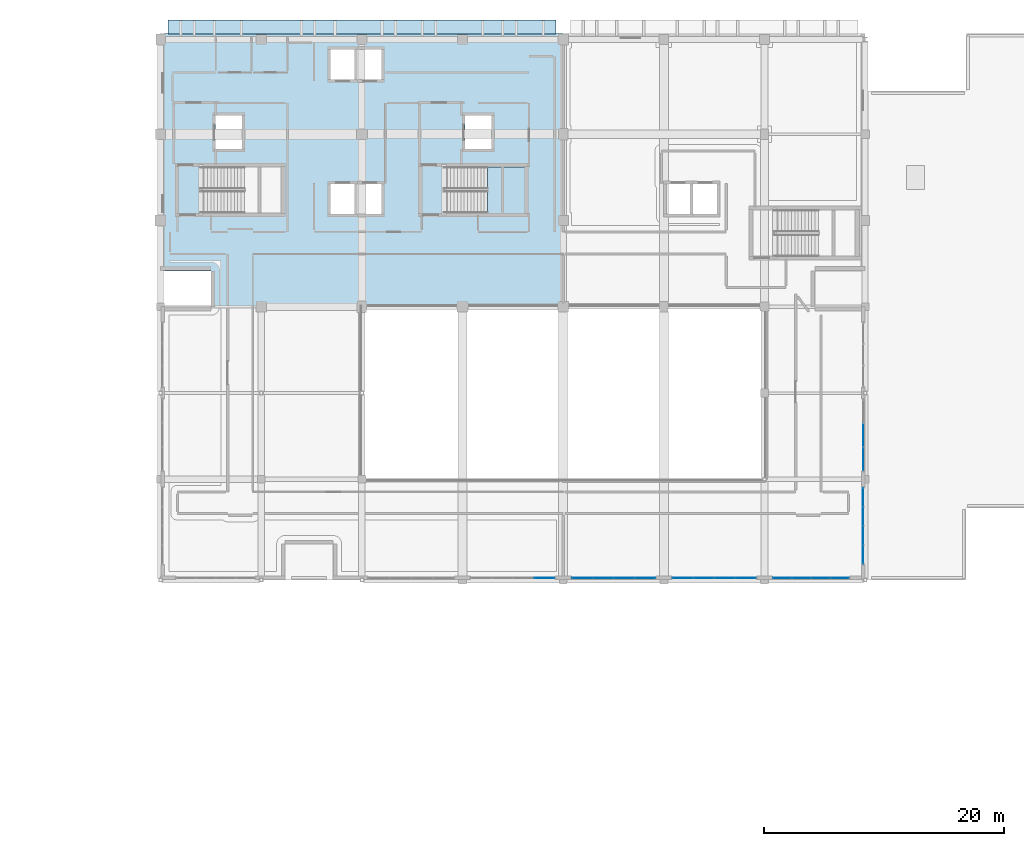
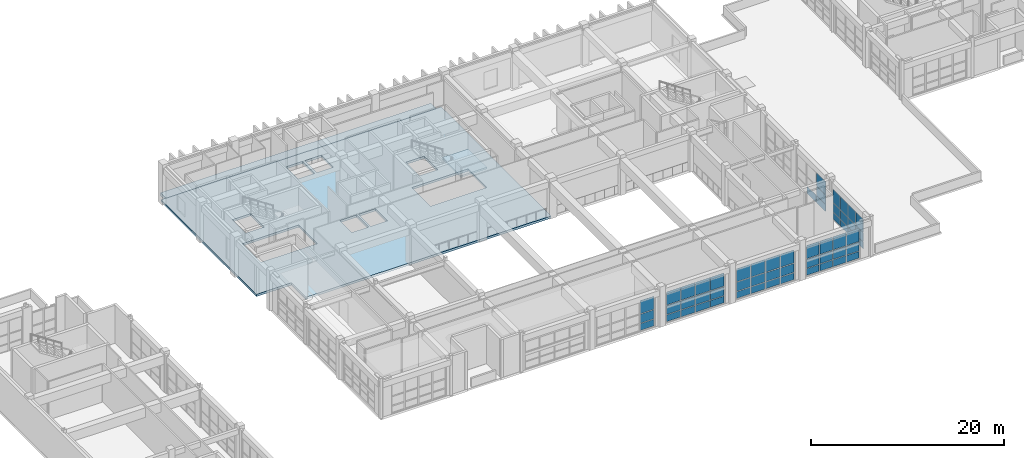
# One storey, part 53 of 78: 55 plates, 3 slabs, 7 elements without a shape of their own.
"""IFC4 building model written with IfcOpenShell, lengths in metres."""

from ifc_helpers import new_model, si_unit, direction, frame, origin, origin_2d, place, context, subcontext, project, spatial, polyline, rectangle, outline, extrude, material, layer, layer_set, type_object, element, aggregate, save


model = new_model("IFC4")

# Units and contexts
model_context = context("Model", 3, precision=1e-05, world=origin(), true_north=direction((0.0, 1.0)))
body_context = subcontext(model_context, "Body", "Model", "MODEL_VIEW")
ifc_project = project(units=[si_unit("LENGTHUNIT", "METRE"), si_unit("AREAUNIT", "SQUARE_METRE"), si_unit("VOLUMEUNIT", "CUBIC_METRE"), si_unit("PLANEANGLEUNIT", "RADIAN"), si_unit("MASSUNIT", "GRAM", prefix="KILO")], contexts=[model_context])

# Site, building, storey
site_placement = place(None, origin())
site = spatial("IfcSite", under=ifc_project, at=site_placement, CompositionType="ELEMENT")
building_placement = place(site_placement, origin())
building = spatial("IfcBuilding", under=site, at=building_placement, Name="Quendrovan Civic Courthouse", CompositionType="ELEMENT")
storey_placement = place(building_placement, frame((0.0, 0.0, 10.199951171875)))
storey = spatial("IfcBuildingStorey", under=building, at=storey_placement, Name="L03", CompositionType="ELEMENT", Elevation=10.199951171875)

# Curtain wall, plates
ifc_material_1 = material(Name="Bronze anodised aluminium and low-E glass", Category="aluminium")
ifc_layer_1 = layer(ifc_material_1, 0.179931640625, Name="Bronze anodised aluminium and low-E glass")
ifc_layer_set_1 = layer_set([ifc_layer_1], Name="Bronze anodised aluminium and low-E glass")
curtain_wall_type_1 = type_object("IfcCurtainWallType", Name="CW-U70x39", PredefinedType="USERDEFINED", material=ifc_layer_set_1)
curtain_wall_1_placement = place(storey_placement, origin())
curtain_wall_1 = element("IfcCurtainWall", 1, at=curtain_wall_1_placement, inside=storey, type_object=curtain_wall_type_1, Name="L03 Unitised Hurricane Curtain Wall CW-132", ObjectType="UNITISED CURTAIN WALL", PredefinedType="USERDEFINED")
ifc_material_2 = material(Name="Laminated hurricane-impact low-E glass", Category="glass")
ifc_layer_2 = layer(ifc_material_2, 0.028076171875, Name="Laminated hurricane-impact low-E glass")
ifc_layer_set_2 = layer_set([ifc_layer_2], Name="Laminated hurricane-impact low-E glass")
plate_type_1 = type_object("IfcPlateType", Name="CW-PNL-1", PredefinedType="CURTAIN_PANEL", material=ifc_layer_set_2)
plate_1_placement = place(storey_placement, frame((82.42626953125, 64.965087890625, 0.06982421875), z_axis=(0.0, 0.0, 1.0), x_axis=(-1.0, 0.0, 0.0)))
plate_1 = element("IfcPlate", 2, at=plate_1_placement, type_object=plate_type_1, Name="CW-132 panel 1.1", PredefinedType="CURTAIN_PANEL", context=body_context, shape_type="SweptSolid", body=[
    extrude(rectangle(XDim=1.657470703125, YDim=0.028076171875, at=origin_2d()), origin(), (0.0, 0.0, 1.0), 0.844970703125),
])
plate_2_placement = place(storey_placement, frame((82.42626953125, 64.965087890625, 0.985107421875), z_axis=(0.0, 0.0, 1.0), x_axis=(-1.0, 0.0, 0.0)))
plate_2 = element("IfcPlate", 3, at=plate_2_placement, type_object=plate_type_1, Name="CW-132 panel 1.2", PredefinedType="CURTAIN_PANEL", context=body_context, shape_type="SweptSolid", body=[
    extrude(rectangle(XDim=1.657470703125, YDim=0.028076171875, at=origin_2d()), origin(), (0.0, 0.0, 1.0), 1.1298828125),
])
plate_3_placement = place(storey_placement, frame((82.42626953125, 64.965087890625, 2.18505859375), z_axis=(0.0, 0.0, 1.0), x_axis=(-1.0, 0.0, 0.0)))
plate_3 = element("IfcPlate", 4, at=plate_3_placement, type_object=plate_type_1, Name="CW-132 panel 1.3", PredefinedType="CURTAIN_PANEL", context=body_context, shape_type="SweptSolid", body=[
    extrude(rectangle(XDim=1.657470703125, YDim=0.028076171875, at=origin_2d()), origin(), (0.0, 0.0, 1.0), 1.64501953125),
])
plate_4_placement = place(storey_placement, frame((80.68115234375, 64.965087890625, 0.06982421875), z_axis=(0.0, 0.0, 1.0), x_axis=(-1.0, 0.0, 0.0)))
plate_4 = element("IfcPlate", 5, at=plate_4_placement, type_object=plate_type_1, Name="CW-132 panel 2.1", PredefinedType="CURTAIN_PANEL", context=body_context, shape_type="SweptSolid", body=[
    extrude(rectangle(XDim=1.6923828125, YDim=0.028076171875, at=origin_2d()), origin(), (0.0, 0.0, 1.0), 0.844970703125),
])
plate_5_placement = place(storey_placement, frame((80.68115234375, 64.965087890625, 0.985107421875), z_axis=(0.0, 0.0, 1.0), x_axis=(-1.0, 0.0, 0.0)))
plate_5 = element("IfcPlate", 6, at=plate_5_placement, type_object=plate_type_1, Name="CW-132 panel 2.2", PredefinedType="CURTAIN_PANEL", context=body_context, shape_type="SweptSolid", body=[
    extrude(rectangle(XDim=1.6923828125, YDim=0.028076171875, at=origin_2d()), origin(), (0.0, 0.0, 1.0), 1.1298828125),
])
plate_6_placement = place(storey_placement, frame((80.68115234375, 64.965087890625, 2.18505859375), z_axis=(0.0, 0.0, 1.0), x_axis=(-1.0, 0.0, 0.0)))
plate_6 = element("IfcPlate", 7, at=plate_6_placement, type_object=plate_type_1, Name="CW-132 panel 2.3", PredefinedType="CURTAIN_PANEL", context=body_context, shape_type="SweptSolid", body=[
    extrude(rectangle(XDim=1.6923828125, YDim=0.028076171875, at=origin_2d()), origin(), (0.0, 0.0, 1.0), 1.64501953125),
])
plate_7_placement = place(storey_placement, frame((78.918701171875, 64.965087890625, 0.06982421875), z_axis=(0.0, 0.0, 1.0), x_axis=(-1.0, 0.0, 0.0)))
plate_7 = element("IfcPlate", 8, at=plate_7_placement, type_object=plate_type_1, Name="CW-132 panel 3.1", PredefinedType="CURTAIN_PANEL", context=body_context, shape_type="SweptSolid", body=[
    extrude(rectangle(XDim=1.6923828125, YDim=0.028076171875, at=origin_2d()), origin(), (0.0, 0.0, 1.0), 0.844970703125),
])
plate_8_placement = place(storey_placement, frame((78.918701171875, 64.965087890625, 0.985107421875), z_axis=(0.0, 0.0, 1.0), x_axis=(-1.0, 0.0, 0.0)))
plate_8 = element("IfcPlate", 9, at=plate_8_placement, type_object=plate_type_1, Name="CW-132 panel 3.2", PredefinedType="CURTAIN_PANEL", context=body_context, shape_type="SweptSolid", body=[
    extrude(rectangle(XDim=1.6923828125, YDim=0.028076171875, at=origin_2d()), origin(), (0.0, 0.0, 1.0), 1.1298828125),
])
plate_9_placement = place(storey_placement, frame((78.918701171875, 64.965087890625, 2.18505859375), z_axis=(0.0, 0.0, 1.0), x_axis=(-1.0, 0.0, 0.0)))
plate_9 = element("IfcPlate", 10, at=plate_9_placement, type_object=plate_type_1, Name="CW-132 panel 3.3", PredefinedType="CURTAIN_PANEL", context=body_context, shape_type="SweptSolid", body=[
    extrude(rectangle(XDim=1.6923828125, YDim=0.028076171875, at=origin_2d()), origin(), (0.0, 0.0, 1.0), 1.64501953125),
])
plate_10_placement = place(storey_placement, frame((77.173828125, 64.965087890625, 0.06982421875), z_axis=(0.0, 0.0, 1.0), x_axis=(-1.0, 0.0, 0.0)))
plate_10 = element("IfcPlate", 11, at=plate_10_placement, type_object=plate_type_1, Name="CW-132 panel 4.1", PredefinedType="CURTAIN_PANEL", context=body_context, shape_type="SweptSolid", body=[
    extrude(rectangle(XDim=1.657470703125, YDim=0.028076171875, at=origin_2d()), origin(), (0.0, 0.0, 1.0), 0.844970703125),
])
plate_11_placement = place(storey_placement, frame((77.173828125, 64.965087890625, 0.985107421875), z_axis=(0.0, 0.0, 1.0), x_axis=(-1.0, 0.0, 0.0)))
plate_11 = element("IfcPlate", 12, at=plate_11_placement, type_object=plate_type_1, Name="CW-132 panel 4.2", PredefinedType="CURTAIN_PANEL", context=body_context, shape_type="SweptSolid", body=[
    extrude(rectangle(XDim=1.657470703125, YDim=0.028076171875, at=origin_2d()), origin(), (0.0, 0.0, 1.0), 1.1298828125),
])
plate_12_placement = place(storey_placement, frame((77.173828125, 64.965087890625, 2.18505859375), z_axis=(0.0, 0.0, 1.0), x_axis=(-1.0, 0.0, 0.0)))
plate_12 = element("IfcPlate", 13, at=plate_12_placement, type_object=plate_type_1, Name="CW-132 panel 4.3", PredefinedType="CURTAIN_PANEL", context=body_context, shape_type="SweptSolid", body=[
    extrude(rectangle(XDim=1.657470703125, YDim=0.028076171875, at=origin_2d()), origin(), (0.0, 0.0, 1.0), 1.64501953125),
])
aggregate(curtain_wall_1, [plate_1, plate_2, plate_3, plate_4, plate_5, plate_6, plate_7, plate_8, plate_9, plate_10, plate_11, plate_12])

ifc_layer_3 = layer(ifc_material_1, 0.179931640625, Name="Bronze anodised aluminium and low-E glass")
ifc_layer_set_3 = layer_set([ifc_layer_3], Name="Bronze anodised aluminium and low-E glass")
curtain_wall_type_2 = type_object("IfcCurtainWallType", Name="CW-U60x39", PredefinedType="USERDEFINED", material=ifc_layer_set_3)
curtain_wall_2_placement = place(storey_placement, origin())
curtain_wall_2 = element("IfcCurtainWall", 14, at=curtain_wall_2_placement, inside=storey, type_object=curtain_wall_type_2, Name="L03 Unitised Hurricane Curtain Wall CW-129", ObjectType="UNITISED CURTAIN WALL", PredefinedType="USERDEFINED")
ifc_layer_4 = layer(ifc_material_2, 0.031982421875, Name="Laminated hurricane-impact low-E glass")
ifc_layer_set_4 = layer_set([ifc_layer_4], Name="Laminated hurricane-impact low-E glass")
plate_type_2 = type_object("IfcPlateType", Name="CW-PNL-2", PredefinedType="CURTAIN_PANEL", material=ifc_layer_set_4)
plate_13_placement = place(storey_placement, frame((92.235107421875, 76.887451171875, 0.06494140625), z_axis=(0.0, 0.0, 1.0), x_axis=(0.0, -1.0, 0.0)))
plate_13 = element("IfcPlate", 15, at=plate_13_placement, type_object=plate_type_2, Name="CW-129 panel 2.1", PredefinedType="CURTAIN_PANEL", context=body_context, shape_type="SweptSolid", body=[
    extrude(rectangle(XDim=1.943359375, YDim=0.031982421875, at=origin_2d()), origin(), (0.0, 0.0, 1.0), 0.8525390625),
])
plate_14_placement = place(storey_placement, frame((92.235107421875, 74.8955078125, 0.06494140625), z_axis=(0.0, 0.0, 1.0), x_axis=(0.0, -1.0, 0.0)))
plate_14 = element("IfcPlate", 16, at=plate_14_placement, type_object=plate_type_2, Name="CW-129 panel 3.1", PredefinedType="CURTAIN_PANEL", context=body_context, shape_type="SweptSolid", body=[
    extrude(rectangle(XDim=1.910888671875, YDim=0.031982421875, at=origin_2d()), origin(), (0.0, 0.0, 1.0), 0.8525390625),
])
plate_15_placement = place(storey_placement, frame((92.235107421875, 74.8955078125, 0.982421875), z_axis=(0.0, 0.0, 1.0), x_axis=(0.0, -1.0, 0.0)))
plate_15 = element("IfcPlate", 17, at=plate_15_placement, type_object=plate_type_2, Name="CW-129 panel 3.2", PredefinedType="CURTAIN_PANEL", context=body_context, shape_type="SweptSolid", body=[
    extrude(rectangle(XDim=1.910888671875, YDim=0.031982421875, at=origin_2d()), origin(), (0.0, 0.0, 1.0), 1.135009765625),
])
plate_16_placement = place(storey_placement, frame((92.235107421875, 74.8955078125, 2.1826171875), z_axis=(0.0, 0.0, 1.0), x_axis=(0.0, -1.0, 0.0)))
plate_16 = element("IfcPlate", 18, at=plate_16_placement, type_object=plate_type_2, Name="CW-129 panel 3.3", PredefinedType="CURTAIN_PANEL", context=body_context, shape_type="SweptSolid", body=[
    extrude(rectangle(XDim=1.910888671875, YDim=0.031982421875, at=origin_2d()), origin(), (0.0, 0.0, 1.0), 1.652587890625),
])
aggregate(curtain_wall_2, [plate_13, plate_14, plate_15, plate_16])

curtain_wall_3_placement = place(storey_placement, origin())
curtain_wall_3 = element("IfcCurtainWall", 19, at=curtain_wall_3_placement, inside=storey, type_object=curtain_wall_type_1, Name="L03 Unitised Hurricane Curtain Wall CW-133", ObjectType="UNITISED CURTAIN WALL", PredefinedType="USERDEFINED")
plate_17_placement = place(storey_placement, frame((74.027587890625, 64.965087890625, 0.06494140625), z_axis=(0.0, 0.0, 1.0), x_axis=(-1.0, 0.0, 0.0)))
plate_17 = element("IfcPlate", 20, at=plate_17_placement, type_object=plate_type_2, Name="CW-133 panel 1.1", PredefinedType="CURTAIN_PANEL", context=body_context, shape_type="SweptSolid", body=[
    extrude(rectangle(XDim=1.6650390625, YDim=0.031982421875, at=origin_2d()), origin(), (0.0, 0.0, 1.0), 0.8525390625),
])
plate_18_placement = place(storey_placement, frame((74.027587890625, 64.965087890625, 0.982421875), z_axis=(0.0, 0.0, 1.0), x_axis=(-1.0, 0.0, 0.0)))
plate_18 = element("IfcPlate", 21, at=plate_18_placement, type_object=plate_type_2, Name="CW-133 panel 1.2", PredefinedType="CURTAIN_PANEL", context=body_context, shape_type="SweptSolid", body=[
    extrude(rectangle(XDim=1.6650390625, YDim=0.031982421875, at=origin_2d()), origin(), (0.0, 0.0, 1.0), 1.135009765625),
])
plate_19_placement = place(storey_placement, frame((74.027587890625, 64.965087890625, 2.1826171875), z_axis=(0.0, 0.0, 1.0), x_axis=(-1.0, 0.0, 0.0)))
plate_19 = element("IfcPlate", 22, at=plate_19_placement, type_object=plate_type_2, Name="CW-133 panel 1.3", PredefinedType="CURTAIN_PANEL", context=body_context, shape_type="SweptSolid", body=[
    extrude(rectangle(XDim=1.6650390625, YDim=0.031982421875, at=origin_2d()), origin(), (0.0, 0.0, 1.0), 1.652587890625),
])
plate_20_placement = place(storey_placement, frame((72.28125, 64.965087890625, 0.06494140625), z_axis=(0.0, 0.0, 1.0), x_axis=(-1.0, 0.0, 0.0)))
plate_20 = element("IfcPlate", 23, at=plate_20_placement, type_object=plate_type_2, Name="CW-133 panel 2.1", PredefinedType="CURTAIN_PANEL", context=body_context, shape_type="SweptSolid", body=[
    extrude(rectangle(XDim=1.697509765625, YDim=0.031982421875, at=origin_2d()), origin(), (0.0, 0.0, 1.0), 0.8525390625),
])
plate_21_placement = place(storey_placement, frame((72.28125, 64.965087890625, 0.982421875), z_axis=(0.0, 0.0, 1.0), x_axis=(-1.0, 0.0, 0.0)))
plate_21 = element("IfcPlate", 24, at=plate_21_placement, type_object=plate_type_2, Name="CW-133 panel 2.2", PredefinedType="CURTAIN_PANEL", context=body_context, shape_type="SweptSolid", body=[
    extrude(rectangle(XDim=1.697509765625, YDim=0.031982421875, at=origin_2d()), origin(), (0.0, 0.0, 1.0), 1.135009765625),
])
plate_22_placement = place(storey_placement, frame((72.28125, 64.965087890625, 2.1826171875), z_axis=(0.0, 0.0, 1.0), x_axis=(-1.0, 0.0, 0.0)))
plate_22 = element("IfcPlate", 25, at=plate_22_placement, type_object=plate_type_2, Name="CW-133 panel 2.3", PredefinedType="CURTAIN_PANEL", context=body_context, shape_type="SweptSolid", body=[
    extrude(rectangle(XDim=1.697509765625, YDim=0.031982421875, at=origin_2d()), origin(), (0.0, 0.0, 1.0), 1.652587890625),
])
plate_23_placement = place(storey_placement, frame((70.518798828125, 64.965087890625, 0.06494140625), z_axis=(0.0, 0.0, 1.0), x_axis=(-1.0, 0.0, 0.0)))
plate_23 = element("IfcPlate", 26, at=plate_23_placement, type_object=plate_type_2, Name="CW-133 panel 3.1", PredefinedType="CURTAIN_PANEL", context=body_context, shape_type="SweptSolid", body=[
    extrude(rectangle(XDim=1.697509765625, YDim=0.031982421875, at=origin_2d()), origin(), (0.0, 0.0, 1.0), 0.8525390625),
])
plate_24_placement = place(storey_placement, frame((70.518798828125, 64.965087890625, 0.982421875), z_axis=(0.0, 0.0, 1.0), x_axis=(-1.0, 0.0, 0.0)))
plate_24 = element("IfcPlate", 27, at=plate_24_placement, type_object=plate_type_2, Name="CW-133 panel 3.2", PredefinedType="CURTAIN_PANEL", context=body_context, shape_type="SweptSolid", body=[
    extrude(rectangle(XDim=1.697509765625, YDim=0.031982421875, at=origin_2d()), origin(), (0.0, 0.0, 1.0), 1.135009765625),
])
plate_25_placement = place(storey_placement, frame((70.518798828125, 64.965087890625, 2.1826171875), z_axis=(0.0, 0.0, 1.0), x_axis=(-1.0, 0.0, 0.0)))
plate_25 = element("IfcPlate", 28, at=plate_25_placement, type_object=plate_type_2, Name="CW-133 panel 3.3", PredefinedType="CURTAIN_PANEL", context=body_context, shape_type="SweptSolid", body=[
    extrude(rectangle(XDim=1.697509765625, YDim=0.031982421875, at=origin_2d()), origin(), (0.0, 0.0, 1.0), 1.652587890625),
])
plate_26_placement = place(storey_placement, frame((68.7724609375, 64.965087890625, 0.06494140625), z_axis=(0.0, 0.0, 1.0), x_axis=(-1.0, 0.0, 0.0)))
plate_26 = element("IfcPlate", 29, at=plate_26_placement, type_object=plate_type_2, Name="CW-133 panel 4.1", PredefinedType="CURTAIN_PANEL", context=body_context, shape_type="SweptSolid", body=[
    extrude(rectangle(XDim=1.6650390625, YDim=0.031982421875, at=origin_2d()), origin(), (0.0, 0.0, 1.0), 0.8525390625),
])
plate_27_placement = place(storey_placement, frame((68.7724609375, 64.965087890625, 0.982421875), z_axis=(0.0, 0.0, 1.0), x_axis=(-1.0, 0.0, 0.0)))
plate_27 = element("IfcPlate", 30, at=plate_27_placement, type_object=plate_type_2, Name="CW-133 panel 4.2", PredefinedType="CURTAIN_PANEL", context=body_context, shape_type="SweptSolid", body=[
    extrude(rectangle(XDim=1.6650390625, YDim=0.031982421875, at=origin_2d()), origin(), (0.0, 0.0, 1.0), 1.135009765625),
])
plate_28_placement = place(storey_placement, frame((68.7724609375, 64.965087890625, 2.1826171875), z_axis=(0.0, 0.0, 1.0), x_axis=(-1.0, 0.0, 0.0)))
plate_28 = element("IfcPlate", 31, at=plate_28_placement, type_object=plate_type_2, Name="CW-133 panel 4.3", PredefinedType="CURTAIN_PANEL", context=body_context, shape_type="SweptSolid", body=[
    extrude(rectangle(XDim=1.6650390625, YDim=0.031982421875, at=origin_2d()), origin(), (0.0, 0.0, 1.0), 1.652587890625),
])
aggregate(curtain_wall_3, [plate_17, plate_18, plate_19, plate_20, plate_21, plate_22, plate_23, plate_24, plate_25, plate_26, plate_27, plate_28])

ifc_layer_5 = layer(ifc_material_1, 0.179931640625, Name="Bronze anodised aluminium and low-E glass")
ifc_layer_set_5 = layer_set([ifc_layer_5], Name="Bronze anodised aluminium and low-E glass")
curtain_wall_type_3 = type_object("IfcCurtainWallType", Name="CW-U64x39", PredefinedType="USERDEFINED", material=ifc_layer_set_5)
curtain_wall_4_placement = place(storey_placement, origin())
curtain_wall_4 = element("IfcCurtainWall", 32, at=curtain_wall_4_placement, inside=storey, type_object=curtain_wall_type_3, Name="L03 Unitised Hurricane Curtain Wall CW-130", ObjectType="UNITISED CURTAIN WALL", PredefinedType="USERDEFINED")
ifc_layer_6 = layer(ifc_material_2, 0.035888671875, Name="Laminated hurricane-impact low-E glass")
ifc_layer_set_6 = layer_set([ifc_layer_6], Name="Laminated hurricane-impact low-E glass")
plate_type_3 = type_object("IfcPlateType", Name="CW-PNL-3", PredefinedType="CURTAIN_PANEL", material=ifc_layer_set_6)
plate_29_placement = place(storey_placement, frame((92.235107421875, 71.704345703125, 0.06982421875), z_axis=(0.0, 0.0, 1.0), x_axis=(0.0, -1.0, 0.0)))
plate_29 = element("IfcPlate", 33, at=plate_29_placement, type_object=plate_type_3, Name="CW-130 panel 1.1", PredefinedType="CURTAIN_PANEL", context=body_context, shape_type="SweptSolid", body=[
    extrude(rectangle(XDim=1.501220703125, YDim=0.035888671875, at=origin_2d()), origin(), (0.0, 0.0, 1.0), 0.844970703125),
])
plate_30_placement = place(storey_placement, frame((92.235107421875, 71.704345703125, 0.985107421875), z_axis=(0.0, 0.0, 1.0), x_axis=(0.0, -1.0, 0.0)))
plate_30 = element("IfcPlate", 34, at=plate_30_placement, type_object=plate_type_3, Name="CW-130 panel 1.2", PredefinedType="CURTAIN_PANEL", context=body_context, shape_type="SweptSolid", body=[
    extrude(rectangle(XDim=1.501220703125, YDim=0.035888671875, at=origin_2d()), origin(), (0.0, 0.0, 1.0), 1.1298828125),
])
plate_31_placement = place(storey_placement, frame((92.235107421875, 71.704345703125, 2.18505859375), z_axis=(0.0, 0.0, 1.0), x_axis=(0.0, -1.0, 0.0)))
plate_31 = element("IfcPlate", 35, at=plate_31_placement, type_object=plate_type_3, Name="CW-130 panel 1.3", PredefinedType="CURTAIN_PANEL", context=body_context, shape_type="SweptSolid", body=[
    extrude(rectangle(XDim=1.501220703125, YDim=0.035888671875, at=origin_2d()), origin(), (0.0, 0.0, 1.0), 1.64501953125),
])
plate_32_placement = place(storey_placement, frame((92.235107421875, 70.11572265625, 0.06982421875), z_axis=(0.0, 0.0, 1.0), x_axis=(0.0, -1.0, 0.0)))
plate_32 = element("IfcPlate", 36, at=plate_32_placement, type_object=plate_type_3, Name="CW-130 panel 2.1", PredefinedType="CURTAIN_PANEL", context=body_context, shape_type="SweptSolid", body=[
    extrude(rectangle(XDim=1.5361328125, YDim=0.035888671875, at=origin_2d()), origin(), (0.0, 0.0, 1.0), 0.844970703125),
])
plate_33_placement = place(storey_placement, frame((92.235107421875, 70.11572265625, 0.985107421875), z_axis=(0.0, 0.0, 1.0), x_axis=(0.0, -1.0, 0.0)))
plate_33 = element("IfcPlate", 37, at=plate_33_placement, type_object=plate_type_3, Name="CW-130 panel 2.2", PredefinedType="CURTAIN_PANEL", context=body_context, shape_type="SweptSolid", body=[
    extrude(rectangle(XDim=1.5361328125, YDim=0.035888671875, at=origin_2d()), origin(), (0.0, 0.0, 1.0), 1.1298828125),
])
plate_34_placement = place(storey_placement, frame((92.235107421875, 70.11572265625, 2.18505859375), z_axis=(0.0, 0.0, 1.0), x_axis=(0.0, -1.0, 0.0)))
plate_34 = element("IfcPlate", 38, at=plate_34_placement, type_object=plate_type_3, Name="CW-130 panel 2.3", PredefinedType="CURTAIN_PANEL", context=body_context, shape_type="SweptSolid", body=[
    extrude(rectangle(XDim=1.5361328125, YDim=0.035888671875, at=origin_2d()), origin(), (0.0, 0.0, 1.0), 1.64501953125),
])
plate_35_placement = place(storey_placement, frame((92.235107421875, 68.50927734375, 0.06982421875), z_axis=(0.0, 0.0, 1.0), x_axis=(0.0, -1.0, 0.0)))
plate_35 = element("IfcPlate", 39, at=plate_35_placement, type_object=plate_type_3, Name="CW-130 panel 3.1", PredefinedType="CURTAIN_PANEL", context=body_context, shape_type="SweptSolid", body=[
    extrude(rectangle(XDim=1.5361328125, YDim=0.035888671875, at=origin_2d()), origin(), (0.0, 0.0, 1.0), 0.844970703125),
])
plate_36_placement = place(storey_placement, frame((92.235107421875, 68.50927734375, 0.985107421875), z_axis=(0.0, 0.0, 1.0), x_axis=(0.0, -1.0, 0.0)))
plate_36 = element("IfcPlate", 40, at=plate_36_placement, type_object=plate_type_3, Name="CW-130 panel 3.2", PredefinedType="CURTAIN_PANEL", context=body_context, shape_type="SweptSolid", body=[
    extrude(rectangle(XDim=1.5361328125, YDim=0.035888671875, at=origin_2d()), origin(), (0.0, 0.0, 1.0), 1.1298828125),
])
plate_37_placement = place(storey_placement, frame((92.235107421875, 68.50927734375, 2.18505859375), z_axis=(0.0, 0.0, 1.0), x_axis=(0.0, -1.0, 0.0)))
plate_37 = element("IfcPlate", 41, at=plate_37_placement, type_object=plate_type_3, Name="CW-130 panel 3.3", PredefinedType="CURTAIN_PANEL", context=body_context, shape_type="SweptSolid", body=[
    extrude(rectangle(XDim=1.5361328125, YDim=0.035888671875, at=origin_2d()), origin(), (0.0, 0.0, 1.0), 1.64501953125),
])
plate_38_placement = place(storey_placement, frame((92.235107421875, 66.920654296875, 0.06982421875), z_axis=(0.0, 0.0, 1.0), x_axis=(0.0, -1.0, 0.0)))
plate_38 = element("IfcPlate", 42, at=plate_38_placement, type_object=plate_type_3, Name="CW-130 panel 4.1", PredefinedType="CURTAIN_PANEL", context=body_context, shape_type="SweptSolid", body=[
    extrude(rectangle(XDim=1.501220703125, YDim=0.035888671875, at=origin_2d()), origin(), (0.0, 0.0, 1.0), 0.844970703125),
])
plate_39_placement = place(storey_placement, frame((92.235107421875, 66.920654296875, 0.985107421875), z_axis=(0.0, 0.0, 1.0), x_axis=(0.0, -1.0, 0.0)))
plate_39 = element("IfcPlate", 43, at=plate_39_placement, type_object=plate_type_3, Name="CW-130 panel 4.2", PredefinedType="CURTAIN_PANEL", context=body_context, shape_type="SweptSolid", body=[
    extrude(rectangle(XDim=1.501220703125, YDim=0.035888671875, at=origin_2d()), origin(), (0.0, 0.0, 1.0), 1.1298828125),
])
plate_40_placement = place(storey_placement, frame((92.235107421875, 66.920654296875, 2.18505859375), z_axis=(0.0, 0.0, 1.0), x_axis=(0.0, -1.0, 0.0)))
plate_40 = element("IfcPlate", 44, at=plate_40_placement, type_object=plate_type_3, Name="CW-130 panel 4.3", PredefinedType="CURTAIN_PANEL", context=body_context, shape_type="SweptSolid", body=[
    extrude(rectangle(XDim=1.501220703125, YDim=0.035888671875, at=origin_2d()), origin(), (0.0, 0.0, 1.0), 1.64501953125),
])
aggregate(curtain_wall_4, [plate_29, plate_30, plate_31, plate_32, plate_33, plate_34, plate_35, plate_36, plate_37, plate_38, plate_39, plate_40])

curtain_wall_5_placement = place(storey_placement, origin())
curtain_wall_5 = element("IfcCurtainWall", 45, at=curtain_wall_5_placement, inside=storey, type_object=curtain_wall_type_1, Name="L03 Unitised Hurricane Curtain Wall CW-134", ObjectType="UNITISED CURTAIN WALL", PredefinedType="USERDEFINED")
plate_41_placement = place(storey_placement, frame((65.626220703125, 64.965087890625, 0.06982421875), z_axis=(0.0, 0.0, 1.0), x_axis=(-1.0, 0.0, 0.0)))
plate_41 = element("IfcPlate", 46, at=plate_41_placement, type_object=plate_type_3, Name="CW-134 panel 1.1", PredefinedType="CURTAIN_PANEL", context=body_context, shape_type="SweptSolid", body=[
    extrude(rectangle(XDim=1.657470703125, YDim=0.035888671875, at=origin_2d()), origin(), (0.0, 0.0, 1.0), 0.844970703125),
])
plate_42_placement = place(storey_placement, frame((65.626220703125, 64.965087890625, 0.985107421875), z_axis=(0.0, 0.0, 1.0), x_axis=(-1.0, 0.0, 0.0)))
plate_42 = element("IfcPlate", 47, at=plate_42_placement, type_object=plate_type_3, Name="CW-134 panel 1.2", PredefinedType="CURTAIN_PANEL", context=body_context, shape_type="SweptSolid", body=[
    extrude(rectangle(XDim=1.657470703125, YDim=0.035888671875, at=origin_2d()), origin(), (0.0, 0.0, 1.0), 1.1298828125),
])
plate_43_placement = place(storey_placement, frame((65.626220703125, 64.965087890625, 2.18505859375), z_axis=(0.0, 0.0, 1.0), x_axis=(-1.0, 0.0, 0.0)))
plate_43 = element("IfcPlate", 48, at=plate_43_placement, type_object=plate_type_3, Name="CW-134 panel 1.3", PredefinedType="CURTAIN_PANEL", context=body_context, shape_type="SweptSolid", body=[
    extrude(rectangle(XDim=1.657470703125, YDim=0.035888671875, at=origin_2d()), origin(), (0.0, 0.0, 1.0), 1.64501953125),
])
aggregate(curtain_wall_5, [plate_41, plate_42, plate_43])

curtain_wall_6_placement = place(storey_placement, origin())
curtain_wall_6 = element("IfcCurtainWall", 49, at=curtain_wall_6_placement, inside=storey, type_object=curtain_wall_type_3, Name="L03 Unitised Hurricane Curtain Wall CW-131", ObjectType="UNITISED CURTAIN WALL", PredefinedType="USERDEFINED")
ifc_layer_7 = layer(ifc_material_2, 0.0419921875, Name="Laminated hurricane-impact low-E glass")
ifc_layer_set_7 = layer_set([ifc_layer_7], Name="Laminated hurricane-impact low-E glass")
plate_type_4 = type_object("IfcPlateType", Name="CW-PNL-4", PredefinedType="CURTAIN_PANEL", material=ifc_layer_set_7)
plate_44_placement = place(storey_placement, frame((90.280517578125, 64.965087890625, 0.06494140625), z_axis=(0.0, 0.0, 1.0), x_axis=(-1.0, 0.0, 0.0)))
plate_44 = element("IfcPlate", 50, at=plate_44_placement, type_object=plate_type_4, Name="CW-131 panel 1.1", PredefinedType="CURTAIN_PANEL", context=body_context, shape_type="SweptSolid", body=[
    extrude(rectangle(XDim=1.5087890625, YDim=0.0419921875, at=origin_2d()), origin(), (0.0, 0.0, 1.0), 0.8525390625),
])
plate_45_placement = place(storey_placement, frame((90.280517578125, 64.965087890625, 0.982421875), z_axis=(0.0, 0.0, 1.0), x_axis=(-1.0, 0.0, 0.0)))
plate_45 = element("IfcPlate", 51, at=plate_45_placement, type_object=plate_type_4, Name="CW-131 panel 1.2", PredefinedType="CURTAIN_PANEL", context=body_context, shape_type="SweptSolid", body=[
    extrude(rectangle(XDim=1.5087890625, YDim=0.0419921875, at=origin_2d()), origin(), (0.0, 0.0, 1.0), 1.135009765625),
])
plate_46_placement = place(storey_placement, frame((90.280517578125, 64.965087890625, 2.1826171875), z_axis=(0.0, 0.0, 1.0), x_axis=(-1.0, 0.0, 0.0)))
plate_46 = element("IfcPlate", 52, at=plate_46_placement, type_object=plate_type_4, Name="CW-131 panel 1.3", PredefinedType="CURTAIN_PANEL", context=body_context, shape_type="SweptSolid", body=[
    extrude(rectangle(XDim=1.5087890625, YDim=0.0419921875, at=origin_2d()), origin(), (0.0, 0.0, 1.0), 1.652587890625),
])
plate_47_placement = place(storey_placement, frame((88.690673828125, 64.965087890625, 0.06494140625), z_axis=(0.0, 0.0, 1.0), x_axis=(-1.0, 0.0, 0.0)))
plate_47 = element("IfcPlate", 53, at=plate_47_placement, type_object=plate_type_4, Name="CW-131 panel 2.1", PredefinedType="CURTAIN_PANEL", context=body_context, shape_type="SweptSolid", body=[
    extrude(rectangle(XDim=1.541259765625, YDim=0.0419921875, at=origin_2d()), origin(), (0.0, 0.0, 1.0), 0.8525390625),
])
plate_48_placement = place(storey_placement, frame((88.690673828125, 64.965087890625, 0.982421875), z_axis=(0.0, 0.0, 1.0), x_axis=(-1.0, 0.0, 0.0)))
plate_48 = element("IfcPlate", 54, at=plate_48_placement, type_object=plate_type_4, Name="CW-131 panel 2.2", PredefinedType="CURTAIN_PANEL", context=body_context, shape_type="SweptSolid", body=[
    extrude(rectangle(XDim=1.541259765625, YDim=0.0419921875, at=origin_2d()), origin(), (0.0, 0.0, 1.0), 1.135009765625),
])
plate_49_placement = place(storey_placement, frame((88.690673828125, 64.965087890625, 2.1826171875), z_axis=(0.0, 0.0, 1.0), x_axis=(-1.0, 0.0, 0.0)))
plate_49 = element("IfcPlate", 55, at=plate_49_placement, type_object=plate_type_4, Name="CW-131 panel 2.3", PredefinedType="CURTAIN_PANEL", context=body_context, shape_type="SweptSolid", body=[
    extrude(rectangle(XDim=1.541259765625, YDim=0.0419921875, at=origin_2d()), origin(), (0.0, 0.0, 1.0), 1.652587890625),
])
plate_50_placement = place(storey_placement, frame((87.08447265625, 64.965087890625, 0.06494140625), z_axis=(0.0, 0.0, 1.0), x_axis=(-1.0, 0.0, 0.0)))
plate_50 = element("IfcPlate", 56, at=plate_50_placement, type_object=plate_type_4, Name="CW-131 panel 3.1", PredefinedType="CURTAIN_PANEL", context=body_context, shape_type="SweptSolid", body=[
    extrude(rectangle(XDim=1.541259765625, YDim=0.0419921875, at=origin_2d()), origin(), (0.0, 0.0, 1.0), 0.8525390625),
])
plate_51_placement = place(storey_placement, frame((87.08447265625, 64.965087890625, 0.982421875), z_axis=(0.0, 0.0, 1.0), x_axis=(-1.0, 0.0, 0.0)))
plate_51 = element("IfcPlate", 57, at=plate_51_placement, type_object=plate_type_4, Name="CW-131 panel 3.2", PredefinedType="CURTAIN_PANEL", context=body_context, shape_type="SweptSolid", body=[
    extrude(rectangle(XDim=1.541259765625, YDim=0.0419921875, at=origin_2d()), origin(), (0.0, 0.0, 1.0), 1.135009765625),
])
plate_52_placement = place(storey_placement, frame((87.08447265625, 64.965087890625, 2.1826171875), z_axis=(0.0, 0.0, 1.0), x_axis=(-1.0, 0.0, 0.0)))
plate_52 = element("IfcPlate", 58, at=plate_52_placement, type_object=plate_type_4, Name="CW-131 panel 3.3", PredefinedType="CURTAIN_PANEL", context=body_context, shape_type="SweptSolid", body=[
    extrude(rectangle(XDim=1.541259765625, YDim=0.0419921875, at=origin_2d()), origin(), (0.0, 0.0, 1.0), 1.652587890625),
])
plate_53_placement = place(storey_placement, frame((85.494384765625, 64.965087890625, 0.06494140625), z_axis=(0.0, 0.0, 1.0), x_axis=(-1.0, 0.0, 0.0)))
plate_53 = element("IfcPlate", 59, at=plate_53_placement, type_object=plate_type_4, Name="CW-131 panel 4.1", PredefinedType="CURTAIN_PANEL", context=body_context, shape_type="SweptSolid", body=[
    extrude(rectangle(XDim=1.5087890625, YDim=0.0419921875, at=origin_2d()), origin(), (0.0, 0.0, 1.0), 0.8525390625),
])
plate_54_placement = place(storey_placement, frame((85.494384765625, 64.965087890625, 0.982421875), z_axis=(0.0, 0.0, 1.0), x_axis=(-1.0, 0.0, 0.0)))
plate_54 = element("IfcPlate", 60, at=plate_54_placement, type_object=plate_type_4, Name="CW-131 panel 4.2", PredefinedType="CURTAIN_PANEL", context=body_context, shape_type="SweptSolid", body=[
    extrude(rectangle(XDim=1.5087890625, YDim=0.0419921875, at=origin_2d()), origin(), (0.0, 0.0, 1.0), 1.135009765625),
])
plate_55_placement = place(storey_placement, frame((85.494384765625, 64.965087890625, 2.1826171875), z_axis=(0.0, 0.0, 1.0), x_axis=(-1.0, 0.0, 0.0)))
plate_55 = element("IfcPlate", 61, at=plate_55_placement, type_object=plate_type_4, Name="CW-131 panel 4.3", PredefinedType="CURTAIN_PANEL", context=body_context, shape_type="SweptSolid", body=[
    extrude(rectangle(XDim=1.5087890625, YDim=0.0419921875, at=origin_2d()), origin(), (0.0, 0.0, 1.0), 1.652587890625),
])
aggregate(curtain_wall_6, [plate_44, plate_45, plate_46, plate_47, plate_48, plate_49, plate_50, plate_51, plate_52, plate_53, plate_54, plate_55])

# Slabs
ifc_material_3 = material(Name="Precast limestone concrete C45/55", Category="masonry")
ifc_layer_8 = layer(ifc_material_3, 0.419921875, Name="Precast limestone concrete C45/55")
ifc_layer_set_8 = layer_set([ifc_layer_8], Name="Precast limestone concrete C45/55")
slab_type_1 = type_object("IfcSlabType", Name="SLB-LEDGE-420", PredefinedType="FLOOR", material=ifc_layer_set_8)
slab_1_placement = place(storey_placement, frame((0.0, 0.0, -0.419921875)))
element("IfcSlab", 62, at=slab_1_placement, inside=storey, type_object=slab_type_1, Name="L03 Precast Architectural Spandrel Fin Shelf 287-0", PredefinedType="FLOOR", context=body_context, shape_type="SweptSolid", body=[
    extrude(outline(polyline([(34.199951171875, 111.528076171875), (66.60009765625, 111.528076171875), (66.60009765625, 110.3779296875), (34.199951171875, 110.3779296875), (34.199951171875, 111.528076171875)])), origin(), (0.0, 0.0, 1.0), 0.419921875),
])
ifc_material_4 = material(Name="Post-tensioned concrete C50/60", Category="concrete")
ifc_layer_9 = layer(ifc_material_4, 0.280029296875, Name="Post-tensioned concrete C50/60")
ifc_layer_set_9 = layer_set([ifc_layer_9], Name="Post-tensioned concrete C50/60")
slab_type_2 = type_object("IfcSlabType", Name="SLB-PT-280", PredefinedType="FLOOR", material=ifc_layer_set_9)
slab_2_placement = place(storey_placement, frame((0.0, 0.0, -0.280029296875)))
element("IfcSlab", 63, at=slab_2_placement, inside=storey, type_object=slab_type_2, Name="L03 Structural Floor Slab V2W", PredefinedType="FLOOR", context=body_context, shape_type="SweptSolid", body=[
    extrude(outline(polyline([(67.199951171875, 110.39990234375), (67.199951171875, 87.60009765625), (37.800048828125, 87.60009765625), (37.800048828125, 90.60009765625), (33.60009765625, 90.60009765625), (33.60009765625, 110.39990234375), (67.199951171875, 110.39990234375)]), holes=[polyline([(49.800048828125, 97.85009765625), (47.800048828125, 97.85009765625), (47.800048828125, 95.35009765625), (49.800048828125, 95.35009765625), (49.800048828125, 97.85009765625)]), polyline([(52.050048828125, 97.85009765625), (50.050048828125, 97.85009765625), (50.050048828125, 95.35009765625), (52.050048828125, 95.35009765625), (52.050048828125, 97.85009765625)]), polyline([(43.699951171875, 99.280029296875), (36.949951171875, 99.280029296875), (36.949951171875, 95.39990234375), (43.699951171875, 95.39990234375), (43.699951171875, 99.280029296875)]), polyline([(64.0, 99.280029296875), (57.25, 99.280029296875), (57.25, 95.39990234375), (64.0, 95.39990234375), (64.0, 99.280029296875)]), polyline([(40.39990234375, 103.550048828125), (38.199951171875, 103.550048828125), (38.199951171875, 100.75), (40.39990234375, 100.75), (40.39990234375, 103.550048828125)]), polyline([(61.199951171875, 103.550048828125), (59.0, 103.550048828125), (59.0, 100.75), (61.199951171875, 100.75), (61.199951171875, 103.550048828125)]), polyline([(49.800048828125, 109.050048828125), (47.800048828125, 109.050048828125), (47.800048828125, 106.550048828125), (49.800048828125, 106.550048828125), (49.800048828125, 109.050048828125)]), polyline([(52.050048828125, 109.050048828125), (50.050048828125, 109.050048828125), (50.050048828125, 106.550048828125), (52.050048828125, 106.550048828125), (52.050048828125, 109.050048828125)])]), origin(), (0.0, 0.0, 1.0), 0.280029296875),
])

# Stair, slab
ifc_material_5 = material(Name="Concrete C40/50", Category="concrete")
stair_type = type_object("IfcStairType", Name="STR-CORE-5100", PredefinedType="HALF_TURN_STAIR", material=ifc_material_5)
stair_placement = place(storey_placement, origin())
stair = element("IfcStair", 64, at=stair_placement, inside=storey, type_object=stair_type, Name="L03 Central Judicial and Firefighting Exit Stair 2", PredefinedType="HALF_TURN_STAIR")
ifc_layer_10 = layer(ifc_material_5, 0.199951171875, Name="Concrete C40/50")
ifc_layer_set_10 = layer_set([ifc_layer_10], Name="Concrete C40/50")
slab_type_3 = type_object("IfcSlabType", Name="SLB-STAIR-LND200", PredefinedType="LANDING", material=ifc_layer_set_10)
slab_3_placement = place(storey_placement, frame((0.0, 0.0, 2.35009765625)))
slab_3 = element("IfcSlab", 65, at=slab_3_placement, type_object=slab_type_3, Name="ST2 landing 1", PredefinedType="LANDING", context=body_context, shape_type="SweptSolid", body=[
    extrude(outline(polyline([(60.889892578125, 95.39990234375), (64.0, 95.39990234375), (64.0, 99.280029296875), (60.889892578125, 99.280029296875), (60.889892578125, 95.39990234375)])), origin(), (0.0, 0.0, 1.0), 0.199951171875),
])
aggregate(stair, [slab_3])

save(model, "model.ifc")
